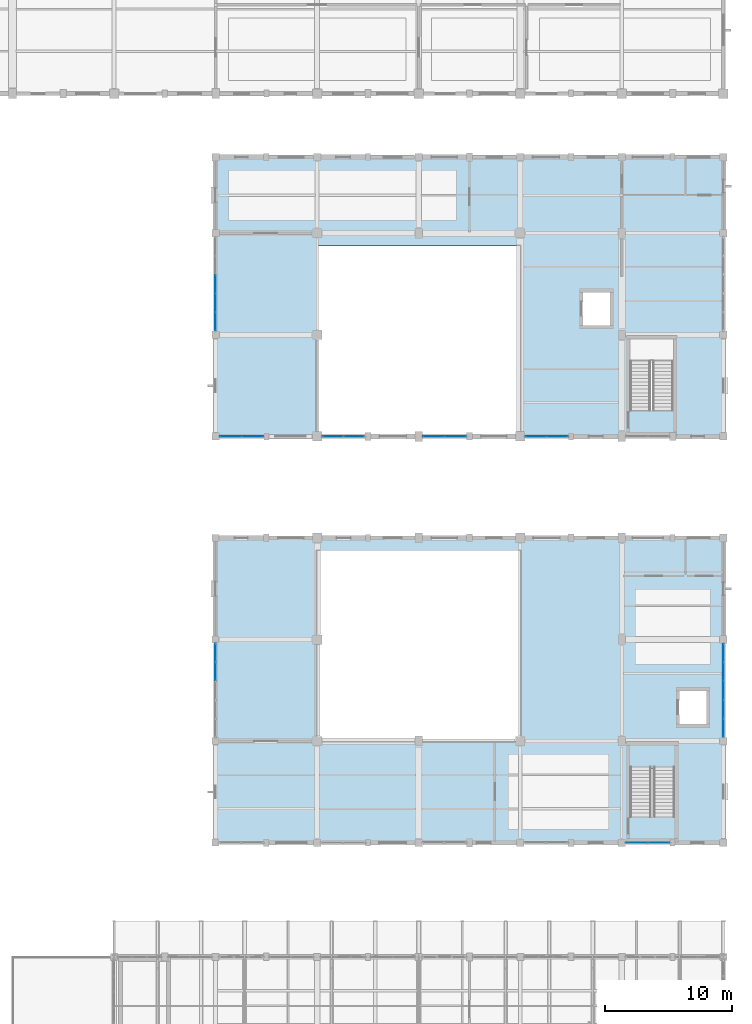
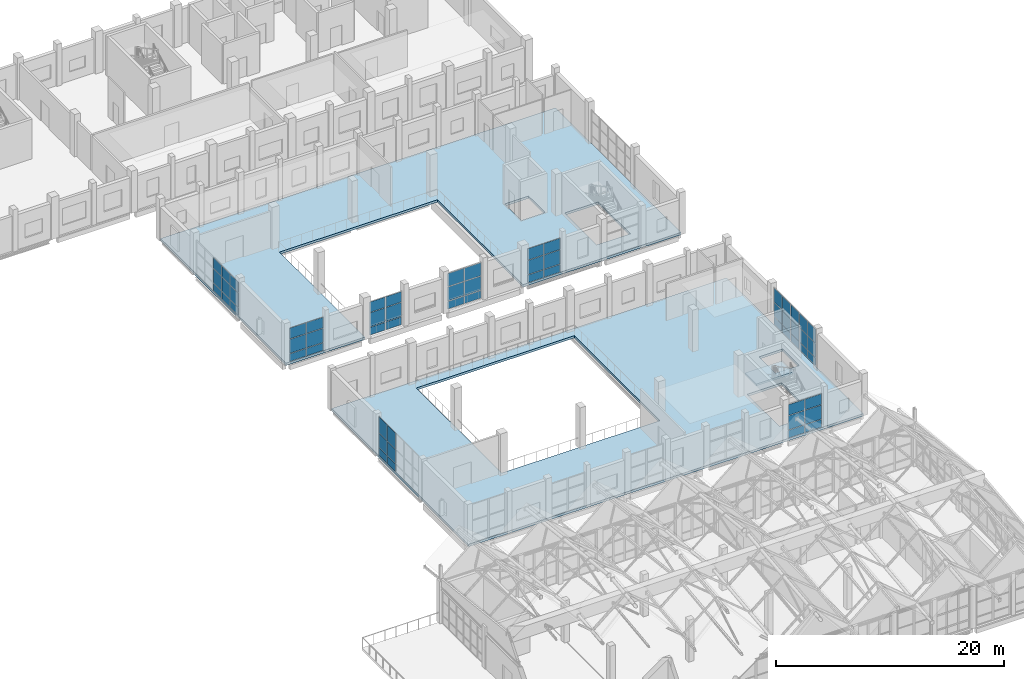
# One storey, part 129 of 183: 60 plates, 3 slabs, 9 elements without a shape of their own.
"""IFC4 building model written with IfcOpenShell, lengths in metres."""

from ifc_helpers import new_model, si_unit, direction, frame, origin, origin_2d, place, context, subcontext, project, spatial, polyline, rectangle, outline, extrude, material, layer, layer_set, type_object, element, aggregate, save


model = new_model("IFC4")

# Units and contexts
model_context = context("Model", 3, precision=1e-05, world=origin(), true_north=direction((0.0, 1.0)))
body_context = subcontext(model_context, "Body", "Model", "MODEL_VIEW")
ifc_project = project(units=[si_unit("LENGTHUNIT", "METRE"), si_unit("AREAUNIT", "SQUARE_METRE"), si_unit("VOLUMEUNIT", "CUBIC_METRE"), si_unit("PLANEANGLEUNIT", "RADIAN"), si_unit("MASSUNIT", "GRAM", prefix="KILO")], contexts=[model_context])

# Site, building, storey
site_placement = place(None, origin())
site = spatial("IfcSite", under=ifc_project, at=site_placement, CompositionType="ELEMENT")
building_placement = place(site_placement, origin())
building = spatial("IfcBuilding", under=site, at=building_placement, Name="Luwemba Playhouse", CompositionType="ELEMENT")
storey_placement = place(building_placement, frame((0.0, 0.0, 4.800048828125)))
storey = spatial("IfcBuildingStorey", under=building, at=storey_placement, Name="L01", CompositionType="ELEMENT", Elevation=4.800048828125)

# Curtain wall, plates
ifc_material_1 = material(Name="Solar-control double glazing", Category="glass")
curtain_wall_type_1 = type_object("IfcCurtainWallType", Name="CW-CW80", PredefinedType="USERDEFINED", material=ifc_material_1)
curtain_wall_1_placement = place(storey_placement, origin())
curtain_wall_1 = element("IfcCurtainWall", 1, at=curtain_wall_1_placement, inside=storey, type_object=curtain_wall_type_1, Name="L01 V3 unitised curtain wall 106", ObjectType="UNITISED GLAZING", PredefinedType="USERDEFINED")
ifc_layer_1 = layer(ifc_material_1, 0.02392578125)
ifc_layer_set_1 = layer_set([ifc_layer_1], Name="Solar-control double glazing")
plate_type_1 = type_object("IfcPlateType", Name="CWP-P1", PredefinedType="CURTAIN_PANEL", material=ifc_layer_set_1)
plate_1_placement = place(storey_placement, frame((172.0, 50.945068359375, 0.059814453125), z_axis=(0.0, 0.0, 1.0), x_axis=(0.0, -1.0, 0.0)))
plate_1 = element("IfcPlate", 2, at=plate_1_placement, type_object=plate_type_1, Name="CW80 panel 1.1", PredefinedType="CURTAIN_PANEL", context=body_context, shape_type="SweptSolid", body=[
    extrude(rectangle(XDim=1.389892578125, YDim=0.02392578125, at=origin_2d()), origin(), (0.0, 0.0, 1.0), 0.81005859375),
])
plate_2_placement = place(storey_placement, frame((172.0, 50.945068359375, 0.93017578125), z_axis=(0.0, 0.0, 1.0), x_axis=(0.0, -1.0, 0.0)))
plate_2 = element("IfcPlate", 3, at=plate_2_placement, type_object=plate_type_1, Name="CW80 panel 1.2", PredefinedType="CURTAIN_PANEL", context=body_context, shape_type="SweptSolid", body=[
    extrude(rectangle(XDim=1.389892578125, YDim=0.02392578125, at=origin_2d()), origin(), (0.0, 0.0, 1.0), 1.489990234375),
])
plate_3_placement = place(storey_placement, frame((172.0, 50.945068359375, 2.47998046875), z_axis=(0.0, 0.0, 1.0), x_axis=(0.0, -1.0, 0.0)))
plate_3 = element("IfcPlate", 4, at=plate_3_placement, type_object=plate_type_1, Name="CW80 panel 1.3", PredefinedType="CURTAIN_PANEL", context=body_context, shape_type="SweptSolid", body=[
    extrude(rectangle(XDim=1.389892578125, YDim=0.02392578125, at=origin_2d()), origin(), (0.0, 0.0, 1.0), 1.4951171875),
])
plate_4_placement = place(storey_placement, frame((172.0, 49.47998046875, 0.059814453125), z_axis=(0.0, 0.0, 1.0), x_axis=(0.0, -1.0, 0.0)))
plate_4 = element("IfcPlate", 5, at=plate_4_placement, type_object=plate_type_1, Name="CW80 panel 2.1", PredefinedType="CURTAIN_PANEL", context=body_context, shape_type="SweptSolid", body=[
    extrude(rectangle(XDim=1.419921875, YDim=0.02392578125, at=origin_2d()), origin(), (0.0, 0.0, 1.0), 0.81005859375),
])
plate_5_placement = place(storey_placement, frame((172.0, 49.47998046875, 0.93017578125), z_axis=(0.0, 0.0, 1.0), x_axis=(0.0, -1.0, 0.0)))
plate_5 = element("IfcPlate", 6, at=plate_5_placement, type_object=plate_type_1, Name="CW80 panel 2.2", PredefinedType="CURTAIN_PANEL", context=body_context, shape_type="SweptSolid", body=[
    extrude(rectangle(XDim=1.419921875, YDim=0.02392578125, at=origin_2d()), origin(), (0.0, 0.0, 1.0), 1.489990234375),
])
plate_6_placement = place(storey_placement, frame((172.0, 49.47998046875, 2.47998046875), z_axis=(0.0, 0.0, 1.0), x_axis=(0.0, -1.0, 0.0)))
plate_6 = element("IfcPlate", 7, at=plate_6_placement, type_object=plate_type_1, Name="CW80 panel 2.3", PredefinedType="CURTAIN_PANEL", context=body_context, shape_type="SweptSolid", body=[
    extrude(rectangle(XDim=1.419921875, YDim=0.02392578125, at=origin_2d()), origin(), (0.0, 0.0, 1.0), 1.4951171875),
])
plate_7_placement = place(storey_placement, frame((172.0, 48.0, 0.059814453125), z_axis=(0.0, 0.0, 1.0), x_axis=(0.0, -1.0, 0.0)))
plate_7 = element("IfcPlate", 8, at=plate_7_placement, type_object=plate_type_1, Name="CW80 panel 3.1", PredefinedType="CURTAIN_PANEL", context=body_context, shape_type="SweptSolid", body=[
    extrude(rectangle(XDim=1.419921875, YDim=0.02392578125, at=origin_2d()), origin(), (0.0, 0.0, 1.0), 0.81005859375),
])
plate_8_placement = place(storey_placement, frame((172.0, 48.0, 0.93017578125), z_axis=(0.0, 0.0, 1.0), x_axis=(0.0, -1.0, 0.0)))
plate_8 = element("IfcPlate", 9, at=plate_8_placement, type_object=plate_type_1, Name="CW80 panel 3.2", PredefinedType="CURTAIN_PANEL", context=body_context, shape_type="SweptSolid", body=[
    extrude(rectangle(XDim=1.419921875, YDim=0.02392578125, at=origin_2d()), origin(), (0.0, 0.0, 1.0), 1.489990234375),
])
plate_9_placement = place(storey_placement, frame((172.0, 48.0, 2.47998046875), z_axis=(0.0, 0.0, 1.0), x_axis=(0.0, -1.0, 0.0)))
plate_9 = element("IfcPlate", 10, at=plate_9_placement, type_object=plate_type_1, Name="CW80 panel 3.3", PredefinedType="CURTAIN_PANEL", context=body_context, shape_type="SweptSolid", body=[
    extrude(rectangle(XDim=1.419921875, YDim=0.02392578125, at=origin_2d()), origin(), (0.0, 0.0, 1.0), 1.4951171875),
])
plate_10_placement = place(storey_placement, frame((172.0, 46.52001953125, 0.059814453125), z_axis=(0.0, 0.0, 1.0), x_axis=(0.0, -1.0, 0.0)))
plate_10 = element("IfcPlate", 11, at=plate_10_placement, type_object=plate_type_1, Name="CW80 panel 4.1", PredefinedType="CURTAIN_PANEL", context=body_context, shape_type="SweptSolid", body=[
    extrude(rectangle(XDim=1.419921875, YDim=0.02392578125, at=origin_2d()), origin(), (0.0, 0.0, 1.0), 0.81005859375),
])
plate_11_placement = place(storey_placement, frame((172.0, 46.52001953125, 0.93017578125), z_axis=(0.0, 0.0, 1.0), x_axis=(0.0, -1.0, 0.0)))
plate_11 = element("IfcPlate", 12, at=plate_11_placement, type_object=plate_type_1, Name="CW80 panel 4.2", PredefinedType="CURTAIN_PANEL", context=body_context, shape_type="SweptSolid", body=[
    extrude(rectangle(XDim=1.419921875, YDim=0.02392578125, at=origin_2d()), origin(), (0.0, 0.0, 1.0), 1.489990234375),
])
plate_12_placement = place(storey_placement, frame((172.0, 46.52001953125, 2.47998046875), z_axis=(0.0, 0.0, 1.0), x_axis=(0.0, -1.0, 0.0)))
plate_12 = element("IfcPlate", 13, at=plate_12_placement, type_object=plate_type_1, Name="CW80 panel 4.3", PredefinedType="CURTAIN_PANEL", context=body_context, shape_type="SweptSolid", body=[
    extrude(rectangle(XDim=1.419921875, YDim=0.02392578125, at=origin_2d()), origin(), (0.0, 0.0, 1.0), 1.4951171875),
])
plate_13_placement = place(storey_placement, frame((172.0, 45.054931640625, 0.059814453125), z_axis=(0.0, 0.0, 1.0), x_axis=(0.0, -1.0, 0.0)))
plate_13 = element("IfcPlate", 14, at=plate_13_placement, type_object=plate_type_1, Name="CW80 panel 5.1", PredefinedType="CURTAIN_PANEL", context=body_context, shape_type="SweptSolid", body=[
    extrude(rectangle(XDim=1.389892578125, YDim=0.02392578125, at=origin_2d()), origin(), (0.0, 0.0, 1.0), 0.81005859375),
])
plate_14_placement = place(storey_placement, frame((172.0, 45.054931640625, 0.93017578125), z_axis=(0.0, 0.0, 1.0), x_axis=(0.0, -1.0, 0.0)))
plate_14 = element("IfcPlate", 15, at=plate_14_placement, type_object=plate_type_1, Name="CW80 panel 5.2", PredefinedType="CURTAIN_PANEL", context=body_context, shape_type="SweptSolid", body=[
    extrude(rectangle(XDim=1.389892578125, YDim=0.02392578125, at=origin_2d()), origin(), (0.0, 0.0, 1.0), 1.489990234375),
])
plate_15_placement = place(storey_placement, frame((172.0, 45.054931640625, 2.47998046875), z_axis=(0.0, 0.0, 1.0), x_axis=(0.0, -1.0, 0.0)))
plate_15 = element("IfcPlate", 16, at=plate_15_placement, type_object=plate_type_1, Name="CW80 panel 5.3", PredefinedType="CURTAIN_PANEL", context=body_context, shape_type="SweptSolid", body=[
    extrude(rectangle(XDim=1.389892578125, YDim=0.02392578125, at=origin_2d()), origin(), (0.0, 0.0, 1.0), 1.4951171875),
])
aggregate(curtain_wall_1, [plate_1, plate_2, plate_3, plate_4, plate_5, plate_6, plate_7, plate_8, plate_9, plate_10, plate_11, plate_12, plate_13, plate_14, plate_15])

curtain_wall_type_2 = type_object("IfcCurtainWallType", Name="CW-CW88", PredefinedType="USERDEFINED", material=ifc_material_1)
curtain_wall_2_placement = place(storey_placement, origin())
curtain_wall_2 = element("IfcCurtainWall", 17, at=curtain_wall_2_placement, inside=storey, type_object=curtain_wall_type_2, Name="L01 V4 unitised curtain wall 118", ObjectType="UNITISED GLAZING", PredefinedType="USERDEFINED")
plate_16_placement = place(storey_placement, frame((134.909912109375, 68.0, 0.059814453125), z_axis=(0.0, 0.0, 1.0), x_axis=(-1.0, 0.0, 0.0)))
plate_16 = element("IfcPlate", 18, at=plate_16_placement, type_object=plate_type_1, Name="CW88 panel 1.1", PredefinedType="CURTAIN_PANEL", context=body_context, shape_type="SweptSolid", body=[
    extrude(rectangle(XDim=1.659912109375, YDim=0.02392578125, at=origin_2d()), origin(), (0.0, 0.0, 1.0), 0.81005859375),
])
plate_17_placement = place(storey_placement, frame((134.909912109375, 68.0, 0.93017578125), z_axis=(0.0, 0.0, 1.0), x_axis=(-1.0, 0.0, 0.0)))
plate_17 = element("IfcPlate", 19, at=plate_17_placement, type_object=plate_type_1, Name="CW88 panel 1.2", PredefinedType="CURTAIN_PANEL", context=body_context, shape_type="SweptSolid", body=[
    extrude(rectangle(XDim=1.659912109375, YDim=0.02392578125, at=origin_2d()), origin(), (0.0, 0.0, 1.0), 1.489990234375),
])
plate_18_placement = place(storey_placement, frame((134.909912109375, 68.0, 2.47998046875), z_axis=(0.0, 0.0, 1.0), x_axis=(-1.0, 0.0, 0.0)))
plate_18 = element("IfcPlate", 20, at=plate_18_placement, type_object=plate_type_1, Name="CW88 panel 1.3", PredefinedType="CURTAIN_PANEL", context=body_context, shape_type="SweptSolid", body=[
    extrude(rectangle(XDim=1.659912109375, YDim=0.02392578125, at=origin_2d()), origin(), (0.0, 0.0, 1.0), 1.14501953125),
])
plate_19_placement = place(storey_placement, frame((133.18994140625, 68.0, 0.059814453125), z_axis=(0.0, 0.0, 1.0), x_axis=(-1.0, 0.0, 0.0)))
plate_19 = element("IfcPlate", 21, at=plate_19_placement, type_object=plate_type_1, Name="CW88 panel 2.1", PredefinedType="CURTAIN_PANEL", context=body_context, shape_type="SweptSolid", body=[
    extrude(rectangle(XDim=1.659912109375, YDim=0.02392578125, at=origin_2d()), origin(), (0.0, 0.0, 1.0), 0.81005859375),
])
plate_20_placement = place(storey_placement, frame((133.18994140625, 68.0, 0.93017578125), z_axis=(0.0, 0.0, 1.0), x_axis=(-1.0, 0.0, 0.0)))
plate_20 = element("IfcPlate", 22, at=plate_20_placement, type_object=plate_type_1, Name="CW88 panel 2.2", PredefinedType="CURTAIN_PANEL", context=body_context, shape_type="SweptSolid", body=[
    extrude(rectangle(XDim=1.659912109375, YDim=0.02392578125, at=origin_2d()), origin(), (0.0, 0.0, 1.0), 1.489990234375),
])
plate_21_placement = place(storey_placement, frame((133.18994140625, 68.0, 2.47998046875), z_axis=(0.0, 0.0, 1.0), x_axis=(-1.0, 0.0, 0.0)))
plate_21 = element("IfcPlate", 23, at=plate_21_placement, type_object=plate_type_1, Name="CW88 panel 2.3", PredefinedType="CURTAIN_PANEL", context=body_context, shape_type="SweptSolid", body=[
    extrude(rectangle(XDim=1.659912109375, YDim=0.02392578125, at=origin_2d()), origin(), (0.0, 0.0, 1.0), 1.14501953125),
])
aggregate(curtain_wall_2, [plate_16, plate_17, plate_18, plate_19, plate_20, plate_21])

curtain_wall_type_3 = type_object("IfcCurtainWallType", Name="CW-CW81", PredefinedType="USERDEFINED", material=ifc_material_1)
curtain_wall_3_placement = place(storey_placement, origin())
curtain_wall_3 = element("IfcCurtainWall", 24, at=curtain_wall_3_placement, inside=storey, type_object=curtain_wall_type_3, Name="L01 V3 unitised curtain wall 107", ObjectType="UNITISED GLAZING", PredefinedType="USERDEFINED")
ifc_layer_2 = layer(ifc_material_1, 0.028076171875)
ifc_layer_set_2 = layer_set([ifc_layer_2], Name="Solar-control double glazing")
plate_type_2 = type_object("IfcPlateType", Name="CWP-P2", PredefinedType="CURTAIN_PANEL", material=ifc_layer_set_2)
plate_22_placement = place(storey_placement, frame((166.90869140625, 36.0, 0.054931640625), z_axis=(0.0, 0.0, 1.0), x_axis=(-1.0, 0.0, 0.0)))
plate_22 = element("IfcPlate", 25, at=plate_22_placement, type_object=plate_type_2, Name="CW81 panel 1.1", PredefinedType="CURTAIN_PANEL", context=body_context, shape_type="SweptSolid", body=[
    extrude(rectangle(XDim=1.652587890625, YDim=0.028076171875, at=origin_2d()), origin(), (0.0, 0.0, 1.0), 0.8173828125),
])
plate_23_placement = place(storey_placement, frame((166.90869140625, 36.0, 0.927490234375), z_axis=(0.0, 0.0, 1.0), x_axis=(-1.0, 0.0, 0.0)))
plate_23 = element("IfcPlate", 26, at=plate_23_placement, type_object=plate_type_2, Name="CW81 panel 1.2", PredefinedType="CURTAIN_PANEL", context=body_context, shape_type="SweptSolid", body=[
    extrude(rectangle(XDim=1.652587890625, YDim=0.028076171875, at=origin_2d()), origin(), (0.0, 0.0, 1.0), 1.4951171875),
])
plate_24_placement = place(storey_placement, frame((166.90869140625, 36.0, 2.4775390625), z_axis=(0.0, 0.0, 1.0), x_axis=(-1.0, 0.0, 0.0)))
plate_24 = element("IfcPlate", 27, at=plate_24_placement, type_object=plate_type_2, Name="CW81 panel 1.3", PredefinedType="CURTAIN_PANEL", context=body_context, shape_type="SweptSolid", body=[
    extrude(rectangle(XDim=1.652587890625, YDim=0.028076171875, at=origin_2d()), origin(), (0.0, 0.0, 1.0), 1.152587890625),
])
plate_25_placement = place(storey_placement, frame((165.191162109375, 36.0, 0.054931640625), z_axis=(0.0, 0.0, 1.0), x_axis=(-1.0, 0.0, 0.0)))
plate_25 = element("IfcPlate", 28, at=plate_25_placement, type_object=plate_type_2, Name="CW81 panel 2.1", PredefinedType="CURTAIN_PANEL", context=body_context, shape_type="SweptSolid", body=[
    extrude(rectangle(XDim=1.652587890625, YDim=0.028076171875, at=origin_2d()), origin(), (0.0, 0.0, 1.0), 0.8173828125),
])
plate_26_placement = place(storey_placement, frame((165.191162109375, 36.0, 0.927490234375), z_axis=(0.0, 0.0, 1.0), x_axis=(-1.0, 0.0, 0.0)))
plate_26 = element("IfcPlate", 29, at=plate_26_placement, type_object=plate_type_2, Name="CW81 panel 2.2", PredefinedType="CURTAIN_PANEL", context=body_context, shape_type="SweptSolid", body=[
    extrude(rectangle(XDim=1.652587890625, YDim=0.028076171875, at=origin_2d()), origin(), (0.0, 0.0, 1.0), 1.4951171875),
])
plate_27_placement = place(storey_placement, frame((165.191162109375, 36.0, 2.4775390625), z_axis=(0.0, 0.0, 1.0), x_axis=(-1.0, 0.0, 0.0)))
plate_27 = element("IfcPlate", 30, at=plate_27_placement, type_object=plate_type_2, Name="CW81 panel 2.3", PredefinedType="CURTAIN_PANEL", context=body_context, shape_type="SweptSolid", body=[
    extrude(rectangle(XDim=1.652587890625, YDim=0.028076171875, at=origin_2d()), origin(), (0.0, 0.0, 1.0), 1.152587890625),
])
aggregate(curtain_wall_3, [plate_22, plate_23, plate_24, plate_25, plate_26, plate_27])

curtain_wall_type_4 = type_object("IfcCurtainWallType", Name="CW-CW85", PredefinedType="USERDEFINED", material=ifc_material_1)
curtain_wall_4_placement = place(storey_placement, origin())
curtain_wall_4 = element("IfcCurtainWall", 31, at=curtain_wall_4_placement, inside=storey, type_object=curtain_wall_type_4, Name="L01 V4 unitised curtain wall 115", ObjectType="UNITISED GLAZING", PredefinedType="USERDEFINED")
plate_28_placement = place(storey_placement, frame((158.927490234375, 68.0, 0.054931640625), z_axis=(0.0, 0.0, 1.0), x_axis=(-1.0, 0.0, 0.0)))
plate_28 = element("IfcPlate", 32, at=plate_28_placement, type_object=plate_type_2, Name="CW85 panel 1.1", PredefinedType="CURTAIN_PANEL", context=body_context, shape_type="SweptSolid", body=[
    extrude(rectangle(XDim=1.614990234375, YDim=0.028076171875, at=origin_2d()), origin(), (0.0, 0.0, 1.0), 0.8173828125),
])
plate_29_placement = place(storey_placement, frame((158.927490234375, 68.0, 0.927490234375), z_axis=(0.0, 0.0, 1.0), x_axis=(-1.0, 0.0, 0.0)))
plate_29 = element("IfcPlate", 33, at=plate_29_placement, type_object=plate_type_2, Name="CW85 panel 1.2", PredefinedType="CURTAIN_PANEL", context=body_context, shape_type="SweptSolid", body=[
    extrude(rectangle(XDim=1.614990234375, YDim=0.028076171875, at=origin_2d()), origin(), (0.0, 0.0, 1.0), 1.4951171875),
])
plate_30_placement = place(storey_placement, frame((158.927490234375, 68.0, 2.4775390625), z_axis=(0.0, 0.0, 1.0), x_axis=(-1.0, 0.0, 0.0)))
plate_30 = element("IfcPlate", 34, at=plate_30_placement, type_object=plate_type_2, Name="CW85 panel 1.3", PredefinedType="CURTAIN_PANEL", context=body_context, shape_type="SweptSolid", body=[
    extrude(rectangle(XDim=1.614990234375, YDim=0.028076171875, at=origin_2d()), origin(), (0.0, 0.0, 1.0), 1.202392578125),
])
plate_31_placement = place(storey_placement, frame((157.24755859375, 68.0, 0.054931640625), z_axis=(0.0, 0.0, 1.0), x_axis=(-1.0, 0.0, 0.0)))
plate_31 = element("IfcPlate", 35, at=plate_31_placement, type_object=plate_type_2, Name="CW85 panel 2.1", PredefinedType="CURTAIN_PANEL", context=body_context, shape_type="SweptSolid", body=[
    extrude(rectangle(XDim=1.614990234375, YDim=0.028076171875, at=origin_2d()), origin(), (0.0, 0.0, 1.0), 0.8173828125),
])
plate_32_placement = place(storey_placement, frame((157.24755859375, 68.0, 0.927490234375), z_axis=(0.0, 0.0, 1.0), x_axis=(-1.0, 0.0, 0.0)))
plate_32 = element("IfcPlate", 36, at=plate_32_placement, type_object=plate_type_2, Name="CW85 panel 2.2", PredefinedType="CURTAIN_PANEL", context=body_context, shape_type="SweptSolid", body=[
    extrude(rectangle(XDim=1.614990234375, YDim=0.028076171875, at=origin_2d()), origin(), (0.0, 0.0, 1.0), 1.4951171875),
])
plate_33_placement = place(storey_placement, frame((157.24755859375, 68.0, 2.4775390625), z_axis=(0.0, 0.0, 1.0), x_axis=(-1.0, 0.0, 0.0)))
plate_33 = element("IfcPlate", 37, at=plate_33_placement, type_object=plate_type_2, Name="CW85 panel 2.3", PredefinedType="CURTAIN_PANEL", context=body_context, shape_type="SweptSolid", body=[
    extrude(rectangle(XDim=1.614990234375, YDim=0.028076171875, at=origin_2d()), origin(), (0.0, 0.0, 1.0), 1.202392578125),
])
aggregate(curtain_wall_4, [plate_28, plate_29, plate_30, plate_31, plate_32, plate_33])

curtain_wall_type_5 = type_object("IfcCurtainWallType", Name="CW-CW82", PredefinedType="USERDEFINED", material=ifc_material_1)
curtain_wall_5_placement = place(storey_placement, origin())
curtain_wall_5 = element("IfcCurtainWall", 38, at=curtain_wall_5_placement, inside=storey, type_object=curtain_wall_type_5, Name="L01 V4 unitised curtain wall 112", ObjectType="UNITISED GLAZING", PredefinedType="USERDEFINED")
ifc_layer_3 = layer(ifc_material_1, 0.031982421875)
ifc_layer_set_3 = layer_set([ifc_layer_3], Name="Solar-control double glazing")
plate_type_3 = type_object("IfcPlateType", Name="CWP-P3", PredefinedType="CURTAIN_PANEL", material=ifc_layer_set_3)
plate_34_placement = place(storey_placement, frame((132.0, 77.0537109375, 0.06494140625), z_axis=(0.0, 0.0, 1.0), x_axis=(0.0, 1.0, 0.0)))
plate_34 = element("IfcPlate", 39, at=plate_34_placement, type_object=plate_type_3, Name="CW82 panel 1.1", PredefinedType="CURTAIN_PANEL", context=body_context, shape_type="SweptSolid", body=[
    extrude(rectangle(XDim=1.3974609375, YDim=0.031982421875, at=origin_2d()), origin(), (0.0, 0.0, 1.0), 0.802490234375),
])
plate_35_placement = place(storey_placement, frame((132.0, 77.0537109375, 0.9326171875), z_axis=(0.0, 0.0, 1.0), x_axis=(0.0, 1.0, 0.0)))
plate_35 = element("IfcPlate", 40, at=plate_35_placement, type_object=plate_type_3, Name="CW82 panel 1.2", PredefinedType="CURTAIN_PANEL", context=body_context, shape_type="SweptSolid", body=[
    extrude(rectangle(XDim=1.3974609375, YDim=0.031982421875, at=origin_2d()), origin(), (0.0, 0.0, 1.0), 1.485107421875),
])
plate_36_placement = place(storey_placement, frame((132.0, 77.0537109375, 2.482421875), z_axis=(0.0, 0.0, 1.0), x_axis=(0.0, 1.0, 0.0)))
plate_36 = element("IfcPlate", 41, at=plate_36_placement, type_object=plate_type_3, Name="CW82 panel 1.3", PredefinedType="CURTAIN_PANEL", context=body_context, shape_type="SweptSolid", body=[
    extrude(rectangle(XDim=1.3974609375, YDim=0.031982421875, at=origin_2d()), origin(), (0.0, 0.0, 1.0), 1.137451171875),
])
plate_37_placement = place(storey_placement, frame((132.0, 78.52001953125, 0.06494140625), z_axis=(0.0, 0.0, 1.0), x_axis=(0.0, 1.0, 0.0)))
plate_37 = element("IfcPlate", 42, at=plate_37_placement, type_object=plate_type_3, Name="CW82 panel 2.1", PredefinedType="CURTAIN_PANEL", context=body_context, shape_type="SweptSolid", body=[
    extrude(rectangle(XDim=1.425048828125, YDim=0.031982421875, at=origin_2d()), origin(), (0.0, 0.0, 1.0), 0.802490234375),
])
plate_38_placement = place(storey_placement, frame((132.0, 78.52001953125, 0.9326171875), z_axis=(0.0, 0.0, 1.0), x_axis=(0.0, 1.0, 0.0)))
plate_38 = element("IfcPlate", 43, at=plate_38_placement, type_object=plate_type_3, Name="CW82 panel 2.2", PredefinedType="CURTAIN_PANEL", context=body_context, shape_type="SweptSolid", body=[
    extrude(rectangle(XDim=1.425048828125, YDim=0.031982421875, at=origin_2d()), origin(), (0.0, 0.0, 1.0), 1.485107421875),
])
plate_39_placement = place(storey_placement, frame((132.0, 78.52001953125, 2.482421875), z_axis=(0.0, 0.0, 1.0), x_axis=(0.0, 1.0, 0.0)))
plate_39 = element("IfcPlate", 44, at=plate_39_placement, type_object=plate_type_3, Name="CW82 panel 2.3", PredefinedType="CURTAIN_PANEL", context=body_context, shape_type="SweptSolid", body=[
    extrude(rectangle(XDim=1.425048828125, YDim=0.031982421875, at=origin_2d()), origin(), (0.0, 0.0, 1.0), 1.137451171875),
])
plate_40_placement = place(storey_placement, frame((132.0, 80.0, 0.06494140625), z_axis=(0.0, 0.0, 1.0), x_axis=(0.0, 1.0, 0.0)))
plate_40 = element("IfcPlate", 45, at=plate_40_placement, type_object=plate_type_3, Name="CW82 panel 3.1", PredefinedType="CURTAIN_PANEL", context=body_context, shape_type="SweptSolid", body=[
    extrude(rectangle(XDim=1.425048828125, YDim=0.031982421875, at=origin_2d()), origin(), (0.0, 0.0, 1.0), 0.802490234375),
])
plate_41_placement = place(storey_placement, frame((132.0, 80.0, 0.9326171875), z_axis=(0.0, 0.0, 1.0), x_axis=(0.0, 1.0, 0.0)))
plate_41 = element("IfcPlate", 46, at=plate_41_placement, type_object=plate_type_3, Name="CW82 panel 3.2", PredefinedType="CURTAIN_PANEL", context=body_context, shape_type="SweptSolid", body=[
    extrude(rectangle(XDim=1.425048828125, YDim=0.031982421875, at=origin_2d()), origin(), (0.0, 0.0, 1.0), 1.485107421875),
])
plate_42_placement = place(storey_placement, frame((132.0, 80.0, 2.482421875), z_axis=(0.0, 0.0, 1.0), x_axis=(0.0, 1.0, 0.0)))
plate_42 = element("IfcPlate", 47, at=plate_42_placement, type_object=plate_type_3, Name="CW82 panel 3.3", PredefinedType="CURTAIN_PANEL", context=body_context, shape_type="SweptSolid", body=[
    extrude(rectangle(XDim=1.425048828125, YDim=0.031982421875, at=origin_2d()), origin(), (0.0, 0.0, 1.0), 1.137451171875),
])
aggregate(curtain_wall_5, [plate_34, plate_35, plate_36, plate_37, plate_38, plate_39, plate_40, plate_41, plate_42])

curtain_wall_type_6 = type_object("IfcCurtainWallType", Name="CW-CW86", PredefinedType="USERDEFINED", material=ifc_material_1)
curtain_wall_6_placement = place(storey_placement, origin())
curtain_wall_6 = element("IfcCurtainWall", 48, at=curtain_wall_6_placement, inside=storey, type_object=curtain_wall_type_6, Name="L01 V4 unitised curtain wall 116", ObjectType="UNITISED GLAZING", PredefinedType="USERDEFINED")
plate_43_placement = place(storey_placement, frame((150.892578125, 68.0, 0.06494140625), z_axis=(0.0, 0.0, 1.0), x_axis=(-1.0, 0.0, 0.0)))
plate_43 = element("IfcPlate", 49, at=plate_43_placement, type_object=plate_type_3, Name="CW86 panel 1.1", PredefinedType="CURTAIN_PANEL", context=body_context, shape_type="SweptSolid", body=[
    extrude(rectangle(XDim=1.655029296875, YDim=0.031982421875, at=origin_2d()), origin(), (0.0, 0.0, 1.0), 0.802490234375),
])
plate_44_placement = place(storey_placement, frame((150.892578125, 68.0, 0.9326171875), z_axis=(0.0, 0.0, 1.0), x_axis=(-1.0, 0.0, 0.0)))
plate_44 = element("IfcPlate", 50, at=plate_44_placement, type_object=plate_type_3, Name="CW86 panel 1.2", PredefinedType="CURTAIN_PANEL", context=body_context, shape_type="SweptSolid", body=[
    extrude(rectangle(XDim=1.655029296875, YDim=0.031982421875, at=origin_2d()), origin(), (0.0, 0.0, 1.0), 1.485107421875),
])
plate_45_placement = place(storey_placement, frame((150.892578125, 68.0, 2.482421875), z_axis=(0.0, 0.0, 1.0), x_axis=(-1.0, 0.0, 0.0)))
plate_45 = element("IfcPlate", 51, at=plate_45_placement, type_object=plate_type_3, Name="CW86 panel 1.3", PredefinedType="CURTAIN_PANEL", context=body_context, shape_type="SweptSolid", body=[
    extrude(rectangle(XDim=1.655029296875, YDim=0.031982421875, at=origin_2d()), origin(), (0.0, 0.0, 1.0), 1.387451171875),
])
plate_46_placement = place(storey_placement, frame((149.1826171875, 68.0, 0.06494140625), z_axis=(0.0, 0.0, 1.0), x_axis=(-1.0, 0.0, 0.0)))
plate_46 = element("IfcPlate", 52, at=plate_46_placement, type_object=plate_type_3, Name="CW86 panel 2.1", PredefinedType="CURTAIN_PANEL", context=body_context, shape_type="SweptSolid", body=[
    extrude(rectangle(XDim=1.655029296875, YDim=0.031982421875, at=origin_2d()), origin(), (0.0, 0.0, 1.0), 0.802490234375),
])
plate_47_placement = place(storey_placement, frame((149.1826171875, 68.0, 0.9326171875), z_axis=(0.0, 0.0, 1.0), x_axis=(-1.0, 0.0, 0.0)))
plate_47 = element("IfcPlate", 53, at=plate_47_placement, type_object=plate_type_3, Name="CW86 panel 2.2", PredefinedType="CURTAIN_PANEL", context=body_context, shape_type="SweptSolid", body=[
    extrude(rectangle(XDim=1.655029296875, YDim=0.031982421875, at=origin_2d()), origin(), (0.0, 0.0, 1.0), 1.485107421875),
])
plate_48_placement = place(storey_placement, frame((149.1826171875, 68.0, 2.482421875), z_axis=(0.0, 0.0, 1.0), x_axis=(-1.0, 0.0, 0.0)))
plate_48 = element("IfcPlate", 54, at=plate_48_placement, type_object=plate_type_3, Name="CW86 panel 2.3", PredefinedType="CURTAIN_PANEL", context=body_context, shape_type="SweptSolid", body=[
    extrude(rectangle(XDim=1.655029296875, YDim=0.031982421875, at=origin_2d()), origin(), (0.0, 0.0, 1.0), 1.387451171875),
])
aggregate(curtain_wall_6, [plate_43, plate_44, plate_45, plate_46, plate_47, plate_48])

curtain_wall_type_7 = type_object("IfcCurtainWallType", Name="CW-CW73", PredefinedType="USERDEFINED", material=ifc_material_1)
curtain_wall_7_placement = place(storey_placement, origin())
curtain_wall_7 = element("IfcCurtainWall", 55, at=curtain_wall_7_placement, inside=storey, type_object=curtain_wall_type_7, Name="L01 V3 unitised curtain wall 105", ObjectType="UNITISED GLAZING", PredefinedType="USERDEFINED")
ifc_layer_4 = layer(ifc_material_1, 0.035888671875)
ifc_layer_set_4 = layer_set([ifc_layer_4], Name="Solar-control double glazing")
plate_type_4 = type_object("IfcPlateType", Name="CWP-P4", PredefinedType="CURTAIN_PANEL", material=ifc_layer_set_4)
plate_49_placement = place(storey_placement, frame((132.0, 49.489990234375, 0.0498046875), z_axis=(0.0, 0.0, 1.0), x_axis=(0.0, 1.0, 0.0)))
plate_49 = element("IfcPlate", 56, at=plate_49_placement, type_object=plate_type_4, Name="CW73 panel 4.1", PredefinedType="CURTAIN_PANEL", context=body_context, shape_type="SweptSolid", body=[
    extrude(rectangle(XDim=1.419921875, YDim=0.035888671875, at=origin_2d()), origin(), (0.0, 0.0, 1.0), 0.824951171875),
])
plate_50_placement = place(storey_placement, frame((132.0, 49.489990234375, 0.925048828125), z_axis=(0.0, 0.0, 1.0), x_axis=(0.0, 1.0, 0.0)))
plate_50 = element("IfcPlate", 57, at=plate_50_placement, type_object=plate_type_4, Name="CW73 panel 4.2", PredefinedType="CURTAIN_PANEL", context=body_context, shape_type="SweptSolid", body=[
    extrude(rectangle(XDim=1.419921875, YDim=0.035888671875, at=origin_2d()), origin(), (0.0, 0.0, 1.0), 1.5),
])
plate_51_placement = place(storey_placement, frame((132.0, 49.489990234375, 2.474853515625), z_axis=(0.0, 0.0, 1.0), x_axis=(0.0, 1.0, 0.0)))
plate_51 = element("IfcPlate", 58, at=plate_51_placement, type_object=plate_type_4, Name="CW73 panel 4.3", PredefinedType="CURTAIN_PANEL", context=body_context, shape_type="SweptSolid", body=[
    extrude(rectangle(XDim=1.419921875, YDim=0.035888671875, at=origin_2d()), origin(), (0.0, 0.0, 1.0), 1.72509765625),
])
plate_52_placement = place(storey_placement, frame((132.0, 50.96240234375, 0.0498046875), z_axis=(0.0, 0.0, 1.0), x_axis=(0.0, 1.0, 0.0)))
plate_52 = element("IfcPlate", 59, at=plate_52_placement, type_object=plate_type_4, Name="CW73 panel 5.1", PredefinedType="CURTAIN_PANEL", context=body_context, shape_type="SweptSolid", body=[
    extrude(rectangle(XDim=1.385009765625, YDim=0.035888671875, at=origin_2d()), origin(), (0.0, 0.0, 1.0), 0.824951171875),
])
plate_53_placement = place(storey_placement, frame((132.0, 50.96240234375, 0.925048828125), z_axis=(0.0, 0.0, 1.0), x_axis=(0.0, 1.0, 0.0)))
plate_53 = element("IfcPlate", 60, at=plate_53_placement, type_object=plate_type_4, Name="CW73 panel 5.2", PredefinedType="CURTAIN_PANEL", context=body_context, shape_type="SweptSolid", body=[
    extrude(rectangle(XDim=1.385009765625, YDim=0.035888671875, at=origin_2d()), origin(), (0.0, 0.0, 1.0), 1.5),
])
plate_54_placement = place(storey_placement, frame((132.0, 50.96240234375, 2.474853515625), z_axis=(0.0, 0.0, 1.0), x_axis=(0.0, 1.0, 0.0)))
plate_54 = element("IfcPlate", 61, at=plate_54_placement, type_object=plate_type_4, Name="CW73 panel 5.3", PredefinedType="CURTAIN_PANEL", context=body_context, shape_type="SweptSolid", body=[
    extrude(rectangle(XDim=1.385009765625, YDim=0.035888671875, at=origin_2d()), origin(), (0.0, 0.0, 1.0), 1.72509765625),
])
aggregate(curtain_wall_7, [plate_49, plate_50, plate_51, plate_52, plate_53, plate_54])

curtain_wall_type_8 = type_object("IfcCurtainWallType", Name="CW-CW87", PredefinedType="USERDEFINED", material=ifc_material_1)
curtain_wall_8_placement = place(storey_placement, origin())
curtain_wall_8 = element("IfcCurtainWall", 62, at=curtain_wall_8_placement, inside=storey, type_object=curtain_wall_type_8, Name="L01 V4 unitised curtain wall 117", ObjectType="UNITISED GLAZING", PredefinedType="USERDEFINED")
plate_55_placement = place(storey_placement, frame((142.888671875, 68.0, 0.0498046875), z_axis=(0.0, 0.0, 1.0), x_axis=(-1.0, 0.0, 0.0)))
plate_55 = element("IfcPlate", 63, at=plate_55_placement, type_object=plate_type_4, Name="CW87 panel 1.1", PredefinedType="CURTAIN_PANEL", context=body_context, shape_type="SweptSolid", body=[
    extrude(rectangle(XDim=1.58251953125, YDim=0.035888671875, at=origin_2d()), origin(), (0.0, 0.0, 1.0), 0.824951171875),
])
plate_56_placement = place(storey_placement, frame((142.888671875, 68.0, 0.925048828125), z_axis=(0.0, 0.0, 1.0), x_axis=(-1.0, 0.0, 0.0)))
plate_56 = element("IfcPlate", 64, at=plate_56_placement, type_object=plate_type_4, Name="CW87 panel 1.2", PredefinedType="CURTAIN_PANEL", context=body_context, shape_type="SweptSolid", body=[
    extrude(rectangle(XDim=1.58251953125, YDim=0.035888671875, at=origin_2d()), origin(), (0.0, 0.0, 1.0), 1.5),
])
plate_57_placement = place(storey_placement, frame((142.888671875, 68.0, 2.47509765625), z_axis=(0.0, 0.0, 1.0), x_axis=(-1.0, 0.0, 0.0)))
plate_57 = element("IfcPlate", 65, at=plate_57_placement, type_object=plate_type_4, Name="CW87 panel 1.3", PredefinedType="CURTAIN_PANEL", context=body_context, shape_type="SweptSolid", body=[
    extrude(rectangle(XDim=1.58251953125, YDim=0.035888671875, at=origin_2d()), origin(), (0.0, 0.0, 1.0), 1.110107421875),
])
plate_58_placement = place(storey_placement, frame((141.236328125, 68.0, 0.0498046875), z_axis=(0.0, 0.0, 1.0), x_axis=(-1.0, 0.0, 0.0)))
plate_58 = element("IfcPlate", 66, at=plate_58_placement, type_object=plate_type_4, Name="CW87 panel 2.1", PredefinedType="CURTAIN_PANEL", context=body_context, shape_type="SweptSolid", body=[
    extrude(rectangle(XDim=1.58251953125, YDim=0.035888671875, at=origin_2d()), origin(), (0.0, 0.0, 1.0), 0.824951171875),
])
plate_59_placement = place(storey_placement, frame((141.236328125, 68.0, 0.925048828125), z_axis=(0.0, 0.0, 1.0), x_axis=(-1.0, 0.0, 0.0)))
plate_59 = element("IfcPlate", 67, at=plate_59_placement, type_object=plate_type_4, Name="CW87 panel 2.2", PredefinedType="CURTAIN_PANEL", context=body_context, shape_type="SweptSolid", body=[
    extrude(rectangle(XDim=1.58251953125, YDim=0.035888671875, at=origin_2d()), origin(), (0.0, 0.0, 1.0), 1.5),
])
plate_60_placement = place(storey_placement, frame((141.236328125, 68.0, 2.47509765625), z_axis=(0.0, 0.0, 1.0), x_axis=(-1.0, 0.0, 0.0)))
plate_60 = element("IfcPlate", 68, at=plate_60_placement, type_object=plate_type_4, Name="CW87 panel 2.3", PredefinedType="CURTAIN_PANEL", context=body_context, shape_type="SweptSolid", body=[
    extrude(rectangle(XDim=1.58251953125, YDim=0.035888671875, at=origin_2d()), origin(), (0.0, 0.0, 1.0), 1.110107421875),
])
aggregate(curtain_wall_8, [plate_55, plate_56, plate_57, plate_58, plate_59, plate_60])

# Slabs
ifc_material_2 = material(Name="Concrete C40/50", Category="concrete")
ifc_layer_5 = layer(ifc_material_2, 0.25)
ifc_layer_set_5 = layer_set([ifc_layer_5], Name="Concrete C40/50")
slab_type_1 = type_object("IfcSlabType", Name="SLB-FLR-250", PredefinedType="FLOOR", material=ifc_layer_set_5)
slab_1_placement = place(storey_placement, frame((0.0, 0.0, -0.25)))
element("IfcSlab", 69, at=slab_1_placement, inside=storey, type_object=slab_type_1, Name="L01 V3 structural floor slab", PredefinedType="FLOOR", context=body_context, shape_type="SweptSolid", body=[
    extrude(outline(polyline([(172.0, 60.0), (172.0, 36.0), (132.0, 36.0), (132.0, 60.0), (172.0, 60.0)]), holes=[polyline([(168.14990234375, 43.659912109375), (164.64990234375, 43.659912109375), (164.64990234375, 38.0400390625), (168.14990234375, 38.0400390625), (168.14990234375, 43.659912109375)]), polyline([(168.39990234375, 45.199951171875), (170.800048828125, 45.199951171875), (170.800048828125, 48.10009765625), (168.39990234375, 48.10009765625), (168.39990234375, 45.199951171875)]), polyline([(140.0, 44.0), (156.0, 44.0), (156.0, 59.0), (140.0, 59.0), (140.0, 44.0)])]), origin(), (0.0, 0.0, 1.0), 0.25),
])
slab_2_placement = place(storey_placement, frame((0.0, 0.0, -0.25)))
element("IfcSlab", 70, at=slab_2_placement, inside=storey, type_object=slab_type_1, Name="L01 V4 structural floor slab", PredefinedType="FLOOR", context=body_context, shape_type="SweptSolid", body=[
    extrude(outline(polyline([(132.0, 90.0), (172.0, 90.0), (172.0, 68.0), (156.0, 68.0), (156.0, 83.0), (140.0, 83.0), (140.0, 68.0), (132.0, 68.0), (132.0, 90.0)]), holes=[polyline([(168.050048828125, 75.659912109375), (164.64990234375, 75.659912109375), (164.64990234375, 70.0400390625), (168.050048828125, 70.0400390625), (168.050048828125, 75.659912109375)]), polyline([(160.800048828125, 76.60009765625), (163.199951171875, 76.60009765625), (163.199951171875, 79.5), (160.800048828125, 79.5), (160.800048828125, 76.60009765625)])]), origin(), (0.0, 0.0, 1.0), 0.25),
])

# Stair, slab
stair_type = type_object("IfcStairType", Name="STR-DL-04", PredefinedType="HALF_TURN_STAIR", material=ifc_material_2)
stair_placement = place(storey_placement, origin())
stair = element("IfcStair", 71, at=stair_placement, inside=storey, type_object=stair_type, Name="L01 Studio Theatre South-East Escape Stair", PredefinedType="HALF_TURN_STAIR")
ifc_layer_6 = layer(ifc_material_2, 0.215087890625)
ifc_layer_set_6 = layer_set([ifc_layer_6], Name="Concrete C40/50")
slab_type_2 = type_object("IfcSlabType", Name="SLB-LND-215", PredefinedType="LANDING", material=ifc_layer_set_6)
slab_3_placement = place(storey_placement, frame((0.0, 0.0, 2.050048828125)))
slab_3 = element("IfcSlab", 72, at=slab_3_placement, type_object=slab_type_2, Name="ST-06 landing 1", PredefinedType="LANDING", context=body_context, shape_type="SweptSolid", body=[
    extrude(outline(polyline([(168.2900390625, 41.820068359375), (164.510009765625, 41.820068359375), (164.510009765625, 43.800048828125), (168.2900390625, 43.800048828125), (168.2900390625, 41.820068359375)])), origin(), (0.0, 0.0, 1.0), 0.199951171875),
])
aggregate(stair, [slab_3])

save(model, "model.ifc")
